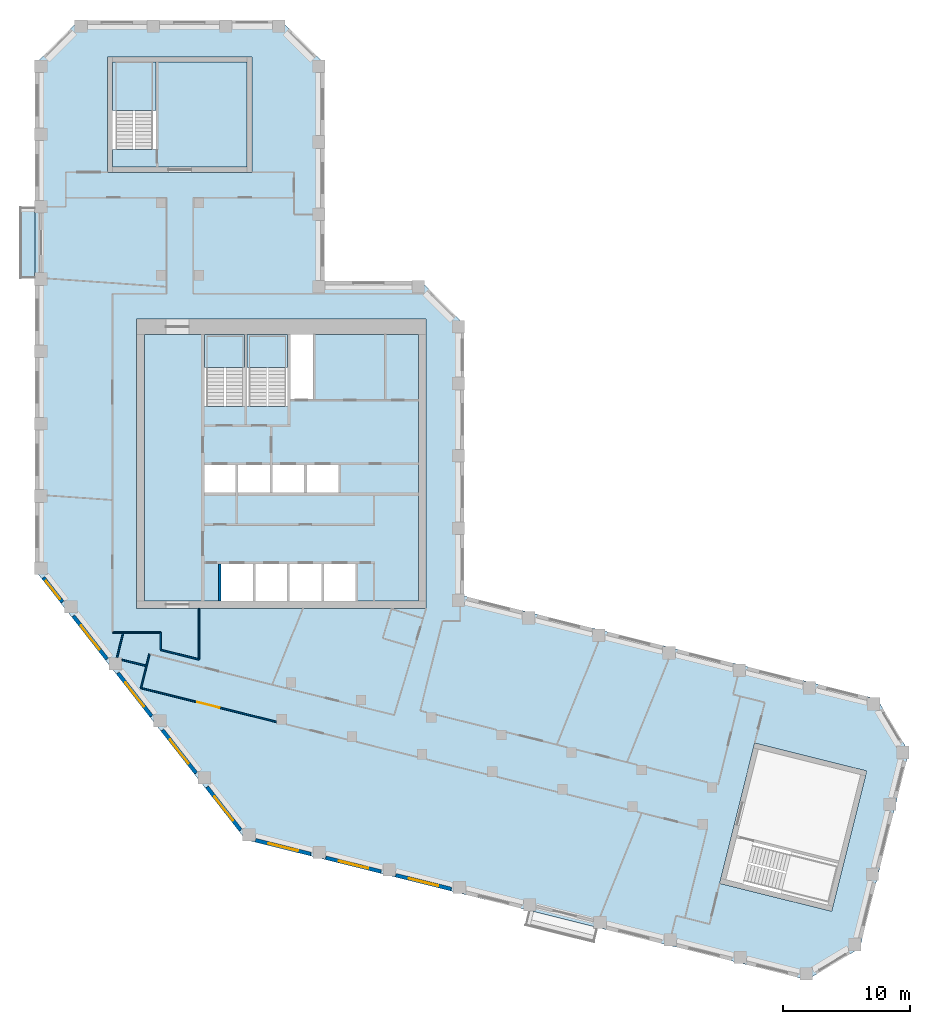
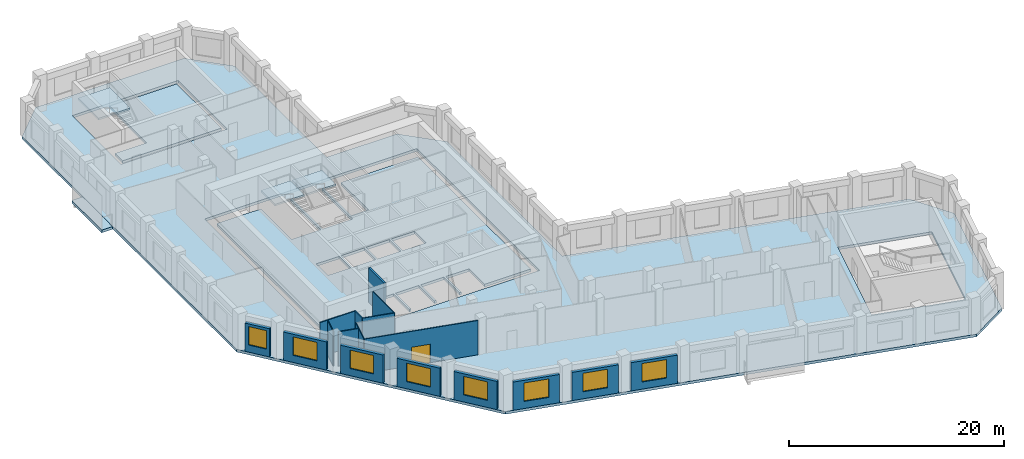
# One storey, part 2 of 9: 17 walls, 8 windows, 7 slabs, 1 door, 9 openings, 3 elements without a shape of their own.
"""IFC4 building model written with IfcOpenShell, lengths in metres."""

from ifc_helpers import new_model, si_unit, direction, frame, frame_2d, origin, place, context, subcontext, project, spatial, polyline, rectangle, outline, extrude, material, layer, layer_set, type_object, element, fill, aggregate, save


model = new_model("IFC4")

# Units and contexts
model_context = context("Model", 3, precision=1e-05, world=origin(), true_north=direction((0.0, 1.0)))
body_context = subcontext(model_context, "Body", "Model", "MODEL_VIEW")
ifc_project = project(units=[si_unit("LENGTHUNIT", "METRE"), si_unit("AREAUNIT", "SQUARE_METRE"), si_unit("VOLUMEUNIT", "CUBIC_METRE"), si_unit("PLANEANGLEUNIT", "RADIAN"), si_unit("MASSUNIT", "GRAM", prefix="KILO")], contexts=[model_context])

# Site, building, storey
site_placement = place(None, origin())
site = spatial("IfcSite", under=ifc_project, at=site_placement, CompositionType="ELEMENT")
building_placement = place(site_placement, origin())
building = spatial("IfcBuilding", under=site, at=building_placement, Name="Meshkara Civic Tower", CompositionType="ELEMENT")
storey_placement = place(building_placement, frame((0.0, 0.0, 302.39990234375)))
storey = spatial("IfcBuildingStorey", under=building, at=storey_placement, Name="L69", CompositionType="ELEMENT", Elevation=302.39990234375)

# Slabs
ifc_material_1 = material(Name="Concrete C40", Category="concrete")
ifc_layer_1 = layer(ifc_material_1, 0.300048828125)
ifc_layer_set_1 = layer_set([ifc_layer_1], Name="BALCONY SLAB")
slab_type_1 = type_object("IfcSlabType", Name="BALCONY SLAB", PredefinedType="FLOOR", material=ifc_layer_set_1)
slab_1_placement = place(storey_placement, frame((0.0, 0.0, -0.2998046875)))
element("IfcSlab", 1, at=slab_1_placement, inside=storey, type_object=slab_type_1, Name="Balcony slab", PredefinedType="FLOOR", context=body_context, shape_type="SweptSolid", body=[
    extrude(outline(polyline([(-1.199951171875, 40.114990234375), (-1.199951171875, 45.695068359375), (-0.050048828125, 45.695068359375), (-0.050048828125, 45.2548828125), (0.0, 45.2548828125), (0.0, 40.554931640625), (-0.050048828125, 40.554931640625), (-0.050048828125, 40.114990234375), (-1.199951171875, 40.114990234375)])), origin(), (0.0, 0.0, 1.0), 0.2998046875),
])
ifc_material_2 = material(Name="Concrete C40/50", Category="concrete")
ifc_layer_2 = layer(ifc_material_2, 0.300048828125)
ifc_layer_set_2 = layer_set([ifc_layer_2], Name="Core floor slab 300 C40/50")
slab_type_2 = type_object("IfcSlabType", Name="Core floor slab 300 C40/50", PredefinedType="FLOOR", material=ifc_layer_set_2)
slab_2_placement = place(storey_placement, frame((0.0, 0.0, -0.2998046875)))
element("IfcSlab", 2, at=slab_2_placement, inside=storey, type_object=slab_type_2, Name="Core floor K", PredefinedType="FLOOR", context=body_context, shape_type="SweptSolid", body=[
    extrude(outline(polyline([(8.60009765625, 35.699951171875), (13.35009765625, 35.699951171875), (13.35009765625, 30.00146484375), (16.5, 30.00146484375), (16.5, 35.699951171875), (16.699951171875, 35.699951171875), (16.699951171875, 30.00146484375), (19.89990234375, 30.00146484375), (19.89990234375, 35.699951171875), (20.10009765625, 35.699951171875), (20.10009765625, 30.574951171875), (21.925048828125, 30.574951171875), (21.925048828125, 35.699951171875), (30.199951171875, 35.699951171875), (30.199951171875, 14.699951171875), (25.25, 14.699951171875), (25.25, 17.60009765625), (22.75, 17.60009765625), (22.75, 14.699951171875), (22.550048828125, 14.699951171875), (22.550048828125, 17.60009765625), (20.050048828125, 17.60009765625), (20.050048828125, 14.699951171875), (19.85009765625, 14.699951171875), (19.85009765625, 17.60009765625), (17.35009765625, 17.60009765625), (17.35009765625, 14.699951171875), (17.14990234375, 14.699951171875), (17.14990234375, 17.60009765625), (14.64990234375, 17.60009765625), (14.64990234375, 14.699951171875), (8.60009765625, 14.699951171875), (8.60009765625, 35.699951171875)]), holes=[polyline([(13.35009765625, 23.25), (15.800048828125, 23.25), (15.800048828125, 25.39990234375), (13.35009765625, 25.39990234375), (13.35009765625, 23.25)]), polyline([(18.5, 23.25), (18.5, 25.39990234375), (16.0, 25.39990234375), (16.0, 23.25), (18.5, 23.25)]), polyline([(18.699951171875, 23.25), (21.199951171875, 23.25), (21.199951171875, 25.39990234375), (18.699951171875, 25.39990234375), (18.699951171875, 23.25)]), polyline([(23.89990234375, 23.25), (23.89990234375, 25.39990234375), (21.39990234375, 25.39990234375), (21.39990234375, 23.25), (23.89990234375, 23.25)])]), origin(), (0.0, 0.0, 1.0), 0.2998046875),
])
slab_3_placement = place(storey_placement, frame((0.0, 0.0, -0.2998046875)))
element("IfcSlab", 3, at=slab_3_placement, inside=storey, type_object=slab_type_2, Name="Core floor EA", PredefinedType="FLOOR", context=body_context, shape_type="SweptSolid", body=[
    extrude(outline(polyline([(16.699951171875, 48.8701171875), (16.699951171875, 57.169921875), (9.5, 57.169921875), (9.5, 50.271484375), (6.10009765625, 50.271484375), (6.10009765625, 48.8701171875), (16.699951171875, 48.8701171875)])), origin(), (0.0, 0.0, 1.0), 0.2998046875),
])

# Stair, slab
ifc_material_3 = material(Name="Precast concrete C40/50", Category="concrete")
stair_type = type_object("IfcStairType", Name="Exit stair half-turn 24 risers precast", PredefinedType="HALF_TURN_STAIR", material=ifc_material_3)
stair_1_placement = place(storey_placement, origin())
stair_1 = element("IfcStair", 4, at=stair_1_placement, inside=storey, type_object=stair_type, Name="L69 exit stair 1", PredefinedType="HALF_TURN_STAIR")
ifc_material_4 = material(Name="Precast concrete C40/50", Category="concrete")
ifc_layer_3 = layer(ifc_material_4, 0.199951171875)
ifc_layer_set_3 = layer_set([ifc_layer_3], Name="Exit stair landing 200")
slab_type_3 = type_object("IfcSlabType", Name="Exit stair landing 200", PredefinedType="LANDING", material=ifc_layer_set_3)
slab_4_placement = place(storey_placement, frame((0.0, 0.0, 1.900146484375)))
slab_4 = element("IfcSlab", 5, at=slab_4_placement, type_object=slab_type_3, Name="ST1 landing 1", PredefinedType="LANDING", context=body_context, shape_type="SweptSolid", body=[
    extrude(outline(polyline([(16.5, 33.07861328125), (16.5, 35.699951171875), (13.35009765625, 35.699951171875), (13.35009765625, 33.07861328125), (16.5, 33.07861328125)])), origin(), (0.0, 0.0, 1.0), 0.199951171875),
])
aggregate(stair_1, [slab_4])

stair_2_placement = place(storey_placement, origin())
stair_2 = element("IfcStair", 6, at=stair_2_placement, inside=storey, type_object=stair_type, Name="L69 exit stair 2", PredefinedType="HALF_TURN_STAIR")
slab_5_placement = place(storey_placement, frame((0.0, 0.0, 1.900146484375)))
slab_5 = element("IfcSlab", 7, at=slab_5_placement, type_object=slab_type_3, Name="ST2 landing 1", PredefinedType="LANDING", context=body_context, shape_type="SweptSolid", body=[
    extrude(outline(polyline([(19.89990234375, 33.07861328125), (19.89990234375, 35.699951171875), (16.699951171875, 35.699951171875), (16.699951171875, 33.07861328125), (19.89990234375, 33.07861328125)])), origin(), (0.0, 0.0, 1.0), 0.199951171875),
])
aggregate(stair_2, [slab_5])

stair_3_placement = place(storey_placement, origin())
stair_3 = element("IfcStair", 8, at=stair_3_placement, inside=storey, type_object=stair_type, Name="L69 exit stair A from L65", PredefinedType="HALF_TURN_STAIR")
slab_6_placement = place(storey_placement, frame((0.0, 0.0, 1.900146484375)))
slab_6 = element("IfcSlab", 9, at=slab_6_placement, type_object=slab_type_3, Name="ESA5 landing 1", PredefinedType="LANDING", context=body_context, shape_type="SweptSolid", body=[
    extrude(outline(polyline([(9.5, 53.348388671875), (9.5, 57.169921875), (6.10009765625, 57.169921875), (6.10009765625, 53.348388671875), (9.5, 53.348388671875)])), origin(), (0.0, 0.0, 1.0), 0.199951171875),
])
aggregate(stair_3, [slab_6])

# Slab
ifc_material_5 = material(Name="Concrete C50", Category="concrete")
ifc_layer_4 = layer(ifc_material_5, 0.300048828125)
ifc_layer_set_4 = layer_set([ifc_layer_4], Name="Post-tensioned flat slab 300 C50")
slab_type_4 = type_object("IfcSlabType", Name="Post-tensioned flat slab 300 C50", PredefinedType="FLOOR", material=ifc_layer_set_4)
slab_7_placement = place(storey_placement, frame((0.0, 0.0, -0.2998046875)))
element("IfcSlab", 10, at=slab_7_placement, inside=storey, type_object=slab_type_4, Name="Post-tensioned flat slab L69", PredefinedType="FLOOR", context=body_context, shape_type="SweptSolid", body=[
    extrude(outline(polyline([(64.98291015625, -12.677001953125), (60.837890625, -15.1689453125), (16.592041015625, -4.136962890625), (0.0, 17.10009765625), (0.0, 57.0), (3.419921875, 60.419921875), (19.3798828125, 60.419921875), (22.800048828125, 57.0), (22.800048828125, 39.89990234375), (30.3798828125, 39.89990234375), (33.800048828125, 36.47998046875), (33.800048828125, 15.071044921875), (66.35302734375, 6.9541015625), (68.843994140625, 2.80810546875), (64.98291015625, -12.677001953125)]), holes=[polyline([(62.77001953125, -9.77587890625), (65.527099609375, 1.285888671875), (56.697998046875, 3.487060546875), (53.93994140625, -7.573974609375), (62.77001953125, -9.77587890625)]), polyline([(8.0, 14.10009765625), (30.800048828125, 14.10009765625), (30.800048828125, 36.89990234375), (8.0, 36.89990234375), (8.0, 14.10009765625)]), polyline([(5.699951171875, 57.570068359375), (5.699951171875, 48.469970703125), (17.10009765625, 48.469970703125), (17.10009765625, 57.570068359375), (5.699951171875, 57.570068359375)])]), origin(), (0.0, 0.0, 1.0), 0.2998046875),
])

# Wall
ifc_material_6 = material(Name="Corridor wall 100")
ifc_layer_5 = layer(ifc_material_6, 0.10009765625)
ifc_layer_set_5 = layer_set([ifc_layer_5], Name="Corridor wall 100")
wall_type_1 = type_object("IfcWallType", Name="Corridor wall 100", PredefinedType="PARTITIONING", material=ifc_layer_set_5)
wall_1_placement = place(storey_placement, frame((6.10009765625, 12.199951171875, 0.0), z_axis=(0.0, 0.0, 1.0), x_axis=(1.0, 0.0, 0.0)))
element("IfcWall", 11, at=wall_1_placement, inside=storey, type_object=wall_type_1, Name="L69-W004", PredefinedType="PARTITIONING", context=body_context, shape_type="SweptSolid", body=[
    extrude(rectangle(XDim=3.7998046875, YDim=0.10009765625, at=frame_2d((1.89990234375, 0.0))), origin(), (0.0, 0.0, 1.0), 3.900146484375),
])

# Wall, opening, door
wall_2_placement = place(storey_placement, frame((8.3330078125, 7.81494140625, 0.0), z_axis=(0.0, 0.0, 1.0), x_axis=(0.970306508913, -0.241878644697, 0.0)))
wall_2 = element("IfcWall", 12, at=wall_2_placement, inside=storey, type_object=wall_type_1, Name="L69-W006", PredefinedType="PARTITIONING", context=body_context, shape_type="SweptSolid", body=[
    extrude(rectangle(XDim=11.01806640625, YDim=0.10009765625, at=frame_2d((5.509033203125, 0.0))), origin(), (0.0, 0.0, 1.0), 3.900146484375),
])
opening_1_placement = place(wall_2_placement, frame((4.580078125, 0.0, 0.0)))
opening_1 = element("IfcOpeningElement", 13, at=opening_1_placement, cuts=wall_2, Name="Opening L69-D008", PredefinedType="OPENING", context=body_context, shape_type="SweptSolid", body=[
    extrude(rectangle(XDim=1.800048828125, YDim=2.10009765625, at=frame_2d((0.89990234375, 1.050048828125))), frame((0.0, 0.06005859375, 0.0), z_axis=(0.0, -1.0, 0.0), x_axis=(1.0, 0.0, 0.0)), (0.0, 0.0, 1.0), 0.1201171875),
])
ifc_material_7 = material(Name="Door pair 1800 x 2100")
door_type = type_object("IfcDoorType", Name="Door pair 1800 x 2100", OperationType="SINGLE_SWING_LEFT", PredefinedType="DOOR", material=ifc_material_7)
door_placement = place(opening_1_placement, origin())
door = element("IfcDoor", 14, at=door_placement, inside=storey, type_object=door_type, Name="L69-D008", OperationType="DOUBLE_DOOR_SINGLE_SWING", OverallHeight=2.10009765625, OverallWidth=1.800048828125, PredefinedType="DOOR", context=body_context, shape_type="SweptSolid", body=[
    extrude(rectangle(XDim=1.800048828125, YDim=2.10009765625, at=frame_2d((0.89990234375, 1.050048828125))), frame((0.0, 0.02490234375, 0.0), z_axis=(0.0, -1.0, 0.0), x_axis=(1.0, 0.0, 0.0)), (0.0, 0.0, 1.0), 0.050048828125),
])
fill(opening_1, door)

# Walls
wall_3_placement = place(storey_placement, frame((9.001953125, 10.4990234375, 0.0), z_axis=(0.0, 0.0, 1.0), x_axis=(-0.2418294893, -0.970318761081, 0.0)))
element("IfcWall", 15, at=wall_3_placement, inside=storey, type_object=wall_type_1, Name="L69-W008", PredefinedType="PARTITIONING", context=body_context, shape_type="SweptSolid", body=[
    extrude(rectangle(XDim=2.76611328125, YDim=0.10009765625, at=frame_2d((1.383056640625, 0.0))), origin(), (0.0, 0.0, 1.0), 3.900146484375),
])
wall_4_placement = place(storey_placement, frame((9.89990234375, 10.825927734375, 0.0), z_axis=(0.0, 0.0, 1.0), x_axis=(0.970290953223, -0.241941038466, 0.0)))
element("IfcWall", 16, at=wall_4_placement, inside=storey, type_object=wall_type_1, Name="L69-W009", PredefinedType="PARTITIONING", context=body_context, shape_type="SweptSolid", body=[
    extrude(rectangle(XDim=3.091796875, YDim=0.10009765625, at=frame_2d((1.5458984375, 0.0))), origin(), (0.0, 0.0, 1.0), 3.900146484375),
])
wall_5_placement = place(storey_placement, frame((9.89990234375, 12.199951171875, 0.0), z_axis=(0.0, 0.0, 1.0), x_axis=(0.0, -1.0, 0.0)))
element("IfcWall", 17, at=wall_5_placement, inside=storey, type_object=wall_type_1, Name="L69-W010", PredefinedType="PARTITIONING", context=body_context, shape_type="SweptSolid", body=[
    extrude(rectangle(XDim=1.3740234375, YDim=0.10009765625, at=frame_2d((0.68701171875, 0.0))), origin(), (0.0, 0.0, 1.0), 3.900146484375),
])
wall_6_placement = place(storey_placement, frame((12.89990234375, 10.077880859375, 0.0), z_axis=(0.0, 0.0, 1.0), x_axis=(0.0, 1.0, 0.0)))
element("IfcWall", 18, at=wall_6_placement, inside=storey, type_object=wall_type_1, Name="L69-W015", PredefinedType="PARTITIONING", context=body_context, shape_type="SweptSolid", body=[
    extrude(rectangle(XDim=4.022216796875, YDim=0.10009765625, at=frame_2d((2.01123046875, 0.0))), origin(), (0.0, 0.0, 1.0), 3.900146484375),
])

# Wall, opening, window
ifc_material_8 = material(Name="Insulated infill panel with bronze anodised aluminium cladding", Category="aluminium")
ifc_layer_6 = layer(ifc_material_8, 0.300048828125)
ifc_layer_set_6 = layer_set([ifc_layer_6], Name="EXTERNAL INFILL WALL 300")
wall_type_2 = type_object("IfcWallType", Name="EXTERNAL INFILL WALL 300", PredefinedType="SOLIDWALL", material=ifc_layer_set_6)
wall_7_placement = place(storey_placement, frame((0.64599609375, 16.51708984375, 0.0), z_axis=(0.0, 0.0, 1.0), x_axis=(0.615610986717, -0.788050197026, 0.0)))
wall_7 = element("IfcWall", 19, at=wall_7_placement, inside=storey, type_object=wall_type_2, Name="External wall", PredefinedType="SOLIDWALL", context=body_context, shape_type="SweptSolid", body=[
    extrude(rectangle(XDim=2.4365234375, YDim=0.300048828125, at=frame_2d((1.21826171875, 0.0))), origin(), (0.0, 0.0, 1.0), 3.2001953125),
])
opening_2_placement = place(wall_7_placement, frame((0.318115234375, 0.0, 0.800048828125)))
opening_2 = element("IfcOpeningElement", 20, at=opening_2_placement, cuts=wall_7, Name="Opening W9", PredefinedType="OPENING", context=body_context, shape_type="SweptSolid", body=[
    extrude(rectangle(XDim=1.800048828125, YDim=2.10009765625, at=frame_2d((0.89990234375, 1.050048828125))), frame((0.0, 0.159912109375, 0.0), z_axis=(0.0, -1.0, 0.0), x_axis=(1.0, 0.0, 0.0)), (0.0, 0.0, 1.0), 0.320068359375),
])
ifc_material_9 = material(Name="Tinted double glazing", Category="glass")
window_type_1 = type_object("IfcWindowType", Name="WINDOW 1800x2100", PartitioningType="DOUBLE_PANEL_VERTICAL", PredefinedType="WINDOW", material=ifc_material_9)
window_1_placement = place(opening_2_placement, origin())
window_1 = element("IfcWindow", 21, at=window_1_placement, inside=storey, type_object=window_type_1, Name="Window", OverallHeight=2.10009765625, OverallWidth=1.800048828125, PartitioningType="DOUBLE_PANEL_VERTICAL", PredefinedType="WINDOW", context=body_context, shape_type="SweptSolid", body=[
    extrude(rectangle(XDim=1.800048828125, YDim=2.10009765625, at=frame_2d((0.89990234375, 1.050048828125))), frame((0.0, 0.030029296875, 0.0), z_axis=(0.0, -1.0, 0.0), x_axis=(1.0, 0.0, 0.0)), (0.0, 0.0, 1.0), 0.06005859375),
])
fill(opening_2, window_1)

wall_8_placement = place(storey_placement, frame((3.010009765625, 13.490966796875, 0.0), z_axis=(0.0, 0.0, 1.0), x_axis=(0.615713519567, -0.787970089421, 0.0)))
wall_8 = element("IfcWall", 22, at=wall_8_placement, inside=storey, type_object=wall_type_2, Name="External wall", PredefinedType="SOLIDWALL", context=body_context, shape_type="SweptSolid", body=[
    extrude(rectangle(XDim=4.2958984375, YDim=0.300048828125, at=frame_2d((2.14794921875, 0.0))), origin(), (0.0, 0.0, 1.0), 3.2001953125),
])
opening_3_placement = place(wall_8_placement, frame((0.947998046875, 0.0, 0.800048828125)))
opening_3 = element("IfcOpeningElement", 23, at=opening_3_placement, cuts=wall_8, Name="Opening W7", PredefinedType="OPENING", context=body_context, shape_type="SweptSolid", body=[
    extrude(rectangle(XDim=2.39990234375, YDim=2.10009765625, at=frame_2d((1.199951171875, 1.050048828125))), frame((0.0, 0.159912109375, 0.0), z_axis=(0.0, -1.0, 0.0), x_axis=(1.0, 0.0, 0.0)), (0.0, 0.0, 1.0), 0.320068359375),
])
ifc_material_10 = material(Name="Tinted double glazing", Category="glass")
window_type_2 = type_object("IfcWindowType", Name="WINDOW 2400x2100", PartitioningType="DOUBLE_PANEL_VERTICAL", PredefinedType="WINDOW", material=ifc_material_10)
window_2_placement = place(opening_3_placement, origin())
window_2 = element("IfcWindow", 24, at=window_2_placement, inside=storey, type_object=window_type_2, Name="Window", OverallHeight=2.10009765625, OverallWidth=2.39990234375, PartitioningType="DOUBLE_PANEL_VERTICAL", PredefinedType="WINDOW", context=body_context, shape_type="SweptSolid", body=[
    extrude(rectangle(XDim=2.39990234375, YDim=2.10009765625, at=frame_2d((1.199951171875, 1.050048828125))), frame((0.0, 0.030029296875, 0.0), z_axis=(0.0, -1.0, 0.0), x_axis=(1.0, 0.0, 0.0)), (0.0, 0.0, 1.0), 0.06005859375),
])
fill(opening_3, window_2)

wall_9_placement = place(storey_placement, frame((6.51904296875, 9.0, 0.0), z_axis=(0.0, 0.0, 1.0), x_axis=(0.615634121154, -0.788032124263, 0.0)))
wall_9 = element("IfcWall", 25, at=wall_9_placement, inside=storey, type_object=wall_type_2, Name="External wall", PredefinedType="SOLIDWALL", context=body_context, shape_type="SweptSolid", body=[
    extrude(rectangle(XDim=4.298095703125, YDim=0.300048828125, at=frame_2d((2.14892578125, 0.0))), origin(), (0.0, 0.0, 1.0), 3.2001953125),
])
opening_4_placement = place(wall_9_placement, frame((0.948974609375, 0.0, 0.800048828125)))
opening_4 = element("IfcOpeningElement", 26, at=opening_4_placement, cuts=wall_9, Name="Opening W7", PredefinedType="OPENING", context=body_context, shape_type="SweptSolid", body=[
    extrude(rectangle(XDim=2.39990234375, YDim=2.10009765625, at=frame_2d((1.199951171875, 1.050048828125))), frame((0.0, 0.159912109375, 0.0), z_axis=(0.0, -1.0, 0.0), x_axis=(1.0, 0.0, 0.0)), (0.0, 0.0, 1.0), 0.320068359375),
])
window_3_placement = place(opening_4_placement, origin())
window_3 = element("IfcWindow", 27, at=window_3_placement, inside=storey, type_object=window_type_2, Name="Window", OverallHeight=2.10009765625, OverallWidth=2.39990234375, PartitioningType="DOUBLE_PANEL_VERTICAL", PredefinedType="WINDOW", context=body_context, shape_type="SweptSolid", body=[
    extrude(rectangle(XDim=2.39990234375, YDim=2.10009765625, at=frame_2d((1.199951171875, 1.050048828125))), frame((0.0, 0.030029296875, 0.0), z_axis=(0.0, -1.0, 0.0), x_axis=(1.0, 0.0, 0.0)), (0.0, 0.0, 1.0), 0.06005859375),
])
fill(opening_4, window_3)

wall_10_placement = place(storey_placement, frame((10.029052734375, 4.507080078125, 0.0), z_axis=(0.0, 0.0, 1.0), x_axis=(0.615572343689, -0.788080382756, 0.0)))
wall_10 = element("IfcWall", 28, at=wall_10_placement, inside=storey, type_object=wall_type_2, Name="External wall", PredefinedType="SOLIDWALL", context=body_context, shape_type="SweptSolid", body=[
    extrude(rectangle(XDim=4.295166015625, YDim=0.300048828125, at=frame_2d((2.1474609375, 0.0))), origin(), (0.0, 0.0, 1.0), 3.2001953125),
])
opening_5_placement = place(wall_10_placement, frame((0.947998046875, 0.0, 0.800048828125)))
opening_5 = element("IfcOpeningElement", 29, at=opening_5_placement, cuts=wall_10, Name="Opening W7", PredefinedType="OPENING", context=body_context, shape_type="SweptSolid", body=[
    extrude(rectangle(XDim=2.39990234375, YDim=2.10009765625, at=frame_2d((1.199951171875, 1.050048828125))), frame((0.0, 0.159912109375, 0.0), z_axis=(0.0, -1.0, 0.0), x_axis=(1.0, 0.0, 0.0)), (0.0, 0.0, 1.0), 0.320068359375),
])
window_4_placement = place(opening_5_placement, origin())
window_4 = element("IfcWindow", 30, at=window_4_placement, inside=storey, type_object=window_type_2, Name="Window", OverallHeight=2.10009765625, OverallWidth=2.39990234375, PartitioningType="DOUBLE_PANEL_VERTICAL", PredefinedType="WINDOW", context=body_context, shape_type="SweptSolid", body=[
    extrude(rectangle(XDim=2.39990234375, YDim=2.10009765625, at=frame_2d((1.199951171875, 1.050048828125))), frame((0.0, 0.030029296875, 0.0), z_axis=(0.0, -1.0, 0.0), x_axis=(1.0, 0.0, 0.0)), (0.0, 0.0, 1.0), 0.06005859375),
])
fill(opening_5, window_4)

wall_11_placement = place(storey_placement, frame((13.5380859375, 0.01611328125, 0.0), z_axis=(0.0, 0.0, 1.0), x_axis=(0.615713519567, -0.787970089421, 0.0)))
wall_11 = element("IfcWall", 31, at=wall_11_placement, inside=storey, type_object=wall_type_2, Name="External wall", PredefinedType="SOLIDWALL", context=body_context, shape_type="SweptSolid", body=[
    extrude(rectangle(XDim=4.2958984375, YDim=0.300048828125, at=frame_2d((2.14794921875, 0.0))), origin(), (0.0, 0.0, 1.0), 3.2001953125),
])
opening_6_placement = place(wall_11_placement, frame((0.947998046875, 0.0, 0.800048828125)))
opening_6 = element("IfcOpeningElement", 32, at=opening_6_placement, cuts=wall_11, Name="Opening W7", PredefinedType="OPENING", context=body_context, shape_type="SweptSolid", body=[
    extrude(rectangle(XDim=2.39990234375, YDim=2.10009765625, at=frame_2d((1.199951171875, 1.050048828125))), frame((0.0, 0.159912109375, 0.0), z_axis=(0.0, -1.0, 0.0), x_axis=(1.0, 0.0, 0.0)), (0.0, 0.0, 1.0), 0.320068359375),
])
window_5_placement = place(opening_6_placement, origin())
window_5 = element("IfcWindow", 33, at=window_5_placement, inside=storey, type_object=window_type_2, Name="Window", OverallHeight=2.10009765625, OverallWidth=2.39990234375, PartitioningType="DOUBLE_PANEL_VERTICAL", PredefinedType="WINDOW", context=body_context, shape_type="SweptSolid", body=[
    extrude(rectangle(XDim=2.39990234375, YDim=2.10009765625, at=frame_2d((1.199951171875, 1.050048828125))), frame((0.0, 0.030029296875, 0.0), z_axis=(0.0, -1.0, 0.0), x_axis=(1.0, 0.0, 0.0)), (0.0, 0.0, 1.0), 0.06005859375),
])
fill(opening_6, window_5)

wall_12_placement = place(storey_placement, frame((17.366943359375, -4.176025390625, 0.0), z_axis=(0.0, 0.0, 1.0), x_axis=(0.970327846266, -0.241793032904, 0.0)))
wall_12 = element("IfcWall", 34, at=wall_12_placement, inside=storey, type_object=wall_type_2, Name="External wall", PredefinedType="SOLIDWALL", context=body_context, shape_type="SweptSolid", body=[
    extrude(rectangle(XDim=4.487060546875, YDim=0.300048828125, at=frame_2d((2.24365234375, 0.0))), origin(), (0.0, 0.0, 1.0), 3.2001953125),
])
opening_7_placement = place(wall_12_placement, frame((1.0439453125, 0.0, 0.800048828125)))
opening_7 = element("IfcOpeningElement", 35, at=opening_7_placement, cuts=wall_12, Name="Opening W7", PredefinedType="OPENING", context=body_context, shape_type="SweptSolid", body=[
    extrude(rectangle(XDim=2.39990234375, YDim=2.10009765625, at=frame_2d((1.199951171875, 1.050048828125))), frame((0.0, 0.159912109375, 0.0), z_axis=(0.0, -1.0, 0.0), x_axis=(1.0, 0.0, 0.0)), (0.0, 0.0, 1.0), 0.320068359375),
])
window_6_placement = place(opening_7_placement, origin())
window_6 = element("IfcWindow", 36, at=window_6_placement, inside=storey, type_object=window_type_2, Name="Window", OverallHeight=2.10009765625, OverallWidth=2.39990234375, PartitioningType="DOUBLE_PANEL_VERTICAL", PredefinedType="WINDOW", context=body_context, shape_type="SweptSolid", body=[
    extrude(rectangle(XDim=2.39990234375, YDim=2.10009765625, at=frame_2d((1.199951171875, 1.050048828125))), frame((0.0, 0.030029296875, 0.0), z_axis=(0.0, -1.0, 0.0), x_axis=(1.0, 0.0, 0.0)), (0.0, 0.0, 1.0), 0.06005859375),
])
fill(opening_7, window_6)

wall_13_placement = place(storey_placement, frame((22.89794921875, -5.554931640625, 0.0), z_axis=(0.0, 0.0, 1.0), x_axis=(0.970315118421, -0.24184410467, 0.0)))
wall_13 = element("IfcWall", 37, at=wall_13_placement, inside=storey, type_object=wall_type_2, Name="External wall", PredefinedType="SOLIDWALL", context=body_context, shape_type="SweptSolid", body=[
    extrude(rectangle(XDim=4.486083984375, YDim=0.300048828125, at=frame_2d((2.2431640625, 0.0))), origin(), (0.0, 0.0, 1.0), 3.2001953125),
])
opening_8_placement = place(wall_13_placement, frame((1.0439453125, 0.0, 0.800048828125)))
opening_8 = element("IfcOpeningElement", 38, at=opening_8_placement, cuts=wall_13, Name="Opening W7", PredefinedType="OPENING", context=body_context, shape_type="SweptSolid", body=[
    extrude(rectangle(XDim=2.39990234375, YDim=2.10009765625, at=frame_2d((1.199951171875, 1.050048828125))), frame((0.0, 0.159912109375, 0.0), z_axis=(0.0, -1.0, 0.0), x_axis=(1.0, 0.0, 0.0)), (0.0, 0.0, 1.0), 0.320068359375),
])
window_7_placement = place(opening_8_placement, origin())
window_7 = element("IfcWindow", 39, at=window_7_placement, inside=storey, type_object=window_type_2, Name="Window", OverallHeight=2.10009765625, OverallWidth=2.39990234375, PartitioningType="DOUBLE_PANEL_VERTICAL", PredefinedType="WINDOW", context=body_context, shape_type="SweptSolid", body=[
    extrude(rectangle(XDim=2.39990234375, YDim=2.10009765625, at=frame_2d((1.199951171875, 1.050048828125))), frame((0.0, 0.030029296875, 0.0), z_axis=(0.0, -1.0, 0.0), x_axis=(1.0, 0.0, 0.0)), (0.0, 0.0, 1.0), 0.06005859375),
])
fill(opening_8, window_7)

wall_14_placement = place(storey_placement, frame((28.427978515625, -6.93310546875, 0.0), z_axis=(0.0, 0.0, 1.0), x_axis=(0.970276766004, -0.241997928406, 0.0)))
wall_14 = element("IfcWall", 40, at=wall_14_placement, inside=storey, type_object=wall_type_2, Name="External wall", PredefinedType="SOLIDWALL", context=body_context, shape_type="SweptSolid", body=[
    extrude(rectangle(XDim=4.4873046875, YDim=0.300048828125, at=frame_2d((2.24365234375, 0.0))), origin(), (0.0, 0.0, 1.0), 3.2001953125),
])
opening_9_placement = place(wall_14_placement, frame((1.0439453125, 0.0, 0.800048828125)))
opening_9 = element("IfcOpeningElement", 41, at=opening_9_placement, cuts=wall_14, Name="Opening W7", PredefinedType="OPENING", context=body_context, shape_type="SweptSolid", body=[
    extrude(rectangle(XDim=2.39990234375, YDim=2.10009765625, at=frame_2d((1.199951171875, 1.050048828125))), frame((0.0, 0.159912109375, 0.0), z_axis=(0.0, -1.0, 0.0), x_axis=(1.0, 0.0, 0.0)), (0.0, 0.0, 1.0), 0.320068359375),
])
window_8_placement = place(opening_9_placement, origin())
window_8 = element("IfcWindow", 42, at=window_8_placement, inside=storey, type_object=window_type_2, Name="Window", OverallHeight=2.10009765625, OverallWidth=2.39990234375, PartitioningType="DOUBLE_PANEL_VERTICAL", PredefinedType="WINDOW", context=body_context, shape_type="SweptSolid", body=[
    extrude(rectangle(XDim=2.39990234375, YDim=2.10009765625, at=frame_2d((1.199951171875, 1.050048828125))), frame((0.0, 0.030029296875, 0.0), z_axis=(0.0, -1.0, 0.0), x_axis=(1.0, 0.0, 0.0)), (0.0, 0.0, 1.0), 0.06005859375),
])
fill(opening_9, window_8)

# Walls
ifc_material_11 = material(Name="Partition 100")
ifc_layer_7 = layer(ifc_material_11, 0.10009765625)
ifc_layer_set_7 = layer_set([ifc_layer_7], Name="Partition 100")
wall_type_3 = type_object("IfcWallType", Name="Partition 100", PredefinedType="PARTITIONING", material=ifc_layer_set_7)
wall_15_placement = place(storey_placement, frame((6.922119140625, 12.137939453125, 0.0), z_axis=(0.0, 0.0, 1.0), x_axis=(-0.242476987996, -0.970157157523, 0.0)))
element("IfcWall", 43, at=wall_15_placement, inside=storey, type_object=wall_type_3, Name="L69-W043", PredefinedType="PARTITIONING", context=body_context, shape_type="SweptSolid", body=[
    extrude(rectangle(XDim=1.95947265625, YDim=0.10009765625, at=frame_2d((0.979736328125, 0.0))), origin(), (0.0, 0.0, 1.0), 3.900146484375),
])
wall_16_placement = place(storey_placement, frame((8.719970703125, 9.574951171875, 0.0), z_axis=(0.0, 0.0, 1.0), x_axis=(-0.970274576003, 0.242006708918, 0.0)))
element("IfcWall", 44, at=wall_16_placement, inside=storey, type_object=wall_type_3, Name="L69-W044", PredefinedType="PARTITIONING", context=body_context, shape_type="SweptSolid", body=[
    extrude(rectangle(XDim=1.955078125, YDim=0.10009765625, at=frame_2d((0.9775390625, 0.0))), origin(), (0.0, 0.0, 1.0), 3.900146484375),
])
ifc_material_12 = material(Name="Concrete C40/50", Category="concrete")
ifc_layer_8 = layer(ifc_material_12, 0.199951171875)
ifc_layer_set_8 = layer_set([ifc_layer_8], Name="Shaft wall 200 C40/50")
wall_type_4 = type_object("IfcWallType", Name="Shaft wall 200 C40/50", PredefinedType="SOLIDWALL", material=ifc_layer_set_8)
wall_17_placement = place(storey_placement, frame((14.550048828125, 14.699951171875, 0.0), z_axis=(0.0, 0.0, 1.0), x_axis=(0.0, 1.0, 0.0)))
element("IfcWall", 45, at=wall_17_placement, inside=storey, type_object=wall_type_4, Name="L69-C012", PredefinedType="SOLIDWALL", context=body_context, shape_type="SweptSolid", body=[
    extrude(rectangle(XDim=2.900146484375, YDim=0.199951171875, at=frame_2d((1.4501953125, 0.0))), origin(), (0.0, 0.0, 1.0), 3.900146484375),
])

save(model, "model.ifc")
